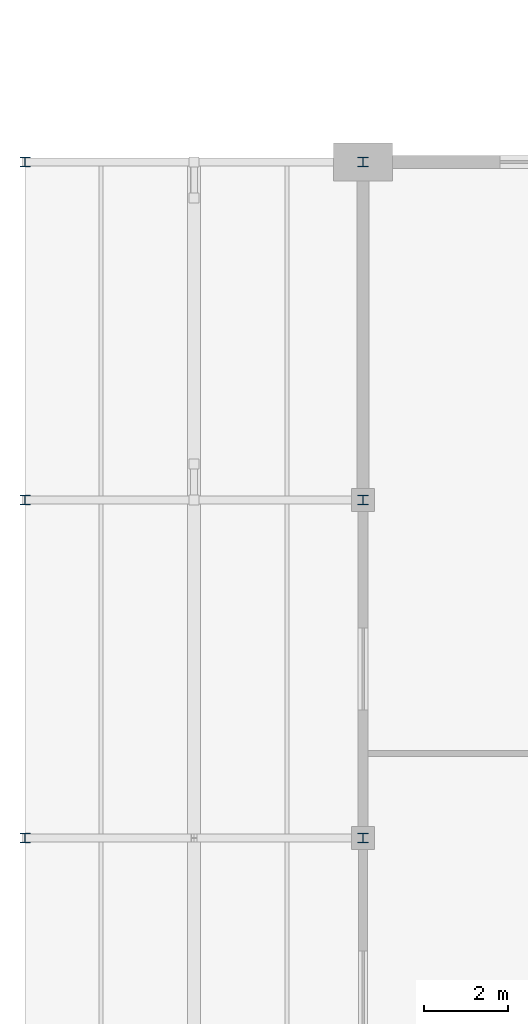
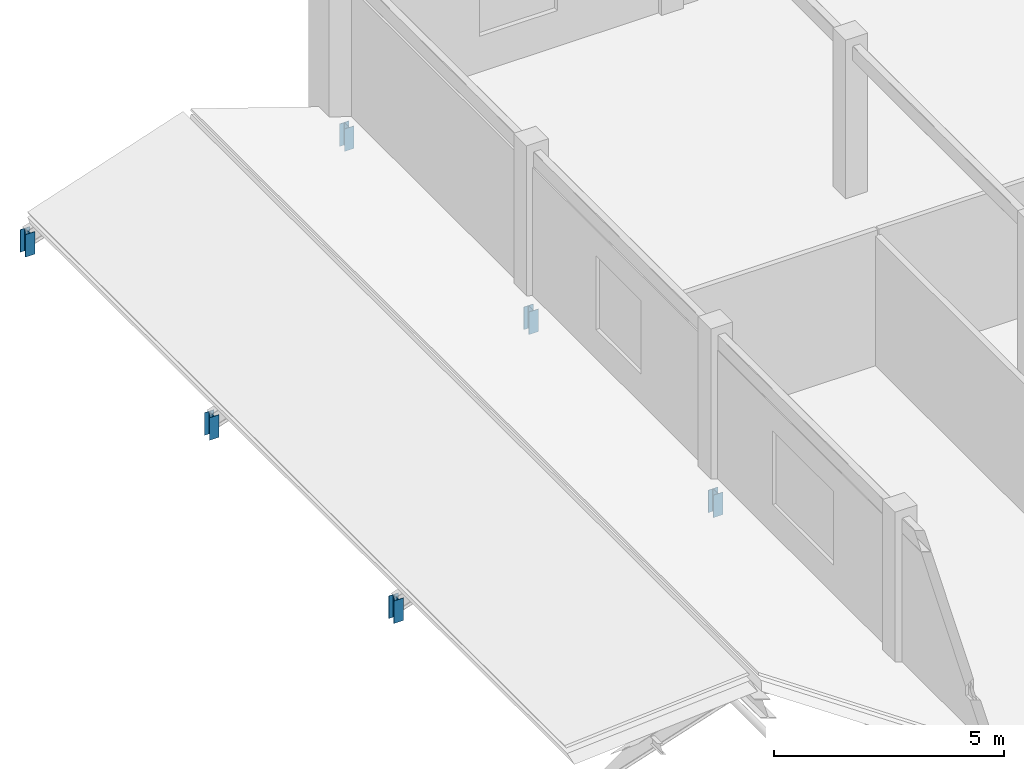
# One storey, part 3 of 9: 6 members.
"""IFC4 building model written with IfcOpenShell, lengths in metres."""

from ifc_helpers import new_model, si_unit, direction, frame, origin, origin_2d, place, context, subcontext, project, spatial, i_section, extrude, material, material_profile, profile_set, type_object, element, save


model = new_model("IFC4")

# Units and contexts
model_context = context("Model", 3, precision=1e-05, world=origin(), true_north=direction((0.0, 1.0)))
body_context = subcontext(model_context, "Body", "Model", "MODEL_VIEW")
ifc_project = project(units=[si_unit("LENGTHUNIT", "METRE"), si_unit("AREAUNIT", "SQUARE_METRE"), si_unit("VOLUMEUNIT", "CUBIC_METRE"), si_unit("PLANEANGLEUNIT", "RADIAN"), si_unit("MASSUNIT", "GRAM", prefix="KILO")], contexts=[model_context])

# Site, building, storey
site_placement = place(None, origin())
site = spatial("IfcSite", under=ifc_project, at=site_placement, CompositionType="ELEMENT")
building_placement = place(site_placement, origin())
building = spatial("IfcBuilding", under=site, at=building_placement, Name="Kenh Van Central Station", CompositionType="ELEMENT")
storey_placement = place(building_placement, frame((0.0, 0.0, 23.39990234375)))
storey = spatial("IfcBuildingStorey", under=building, at=storey_placement, Name="L05", CompositionType="ELEMENT", Elevation=23.39990234375)

# Members
ifc_material = material(Name="Steel S355", Category="steel")
ifc_material_profile = material_profile(ifc_material, i_section(OverallWidth=0.239990234375, OverallDepth=0.22998046875, WebThickness=0.007568359375, FlangeThickness=0.011962890625, FilletRadius=0.02099609375, at=origin_2d()), Name="HEA 240")
ifc_profile_set = profile_set([ifc_material_profile], Name="Steel S355")
member_type = type_object("IfcMemberType", Name="MEM-ROOF-POST240", PredefinedType="POST", material=ifc_profile_set)
for number, where, z_axis, x_axis, name in (
    (1, (136.0, 48.0, -0.949951171875), (0.0, 0.0, 1.0), (1.0, 0.0, 0.0), "L05 roof eave post 196"),
    (2, (144.0, 48.0, -0.949951171875), (0.0, 0.0, 1.0), (1.0, 0.0, 0.0), "L05 roof eave post 196"),
    (3, (136.0, 56.0, -0.949951171875), (0.0, 0.0, 1.0), (1.0, 0.0, 0.0), "L05 roof eave post 198"),
    (4, (144.0, 56.0, -0.949951171875), (0.0, 0.0, 1.0), (1.0, 0.0, 0.0), "L05 roof eave post 198"),
    (5, (136.0, 64.0, -0.949951171875), (0.0, 0.0, 1.0), (1.0, 0.0, 0.0), "L05 roof eave post 200"),
    (6, (144.0, 64.0, -0.949951171875), (0.0, 0.0, 1.0), (1.0, 0.0, 0.0), "L05 roof eave post 200"),
):
    element("IfcMember", number, at=place(storey_placement, frame(where, z_axis=z_axis, x_axis=x_axis)), inside=storey, type_object=member_type, Name=name, PredefinedType="POST", context=body_context, shape_type="SweptSolid", body=[
        extrude(i_section(OverallWidth=0.239990234375, OverallDepth=0.22998046875, WebThickness=0.007568359375, FlangeThickness=0.011962890625, FilletRadius=0.02099609375, at=origin_2d()), origin(), (0.0, 0.0, 1.0), 0.5966796875),
    ])

save(model, "model.ifc")
